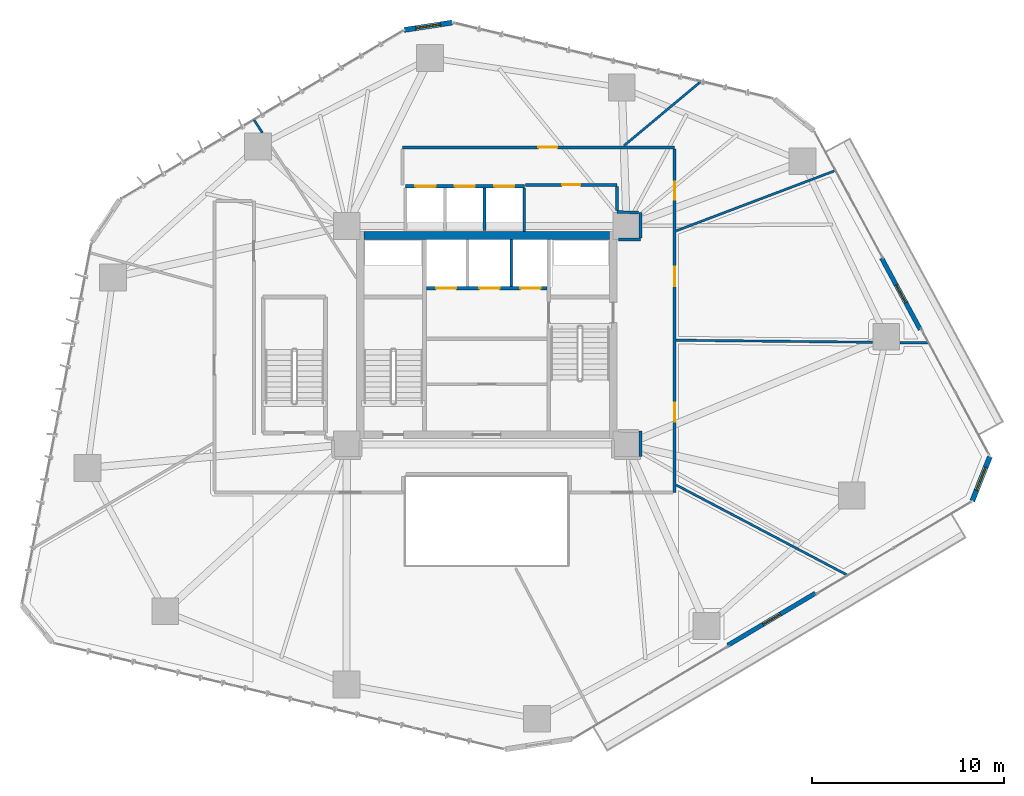
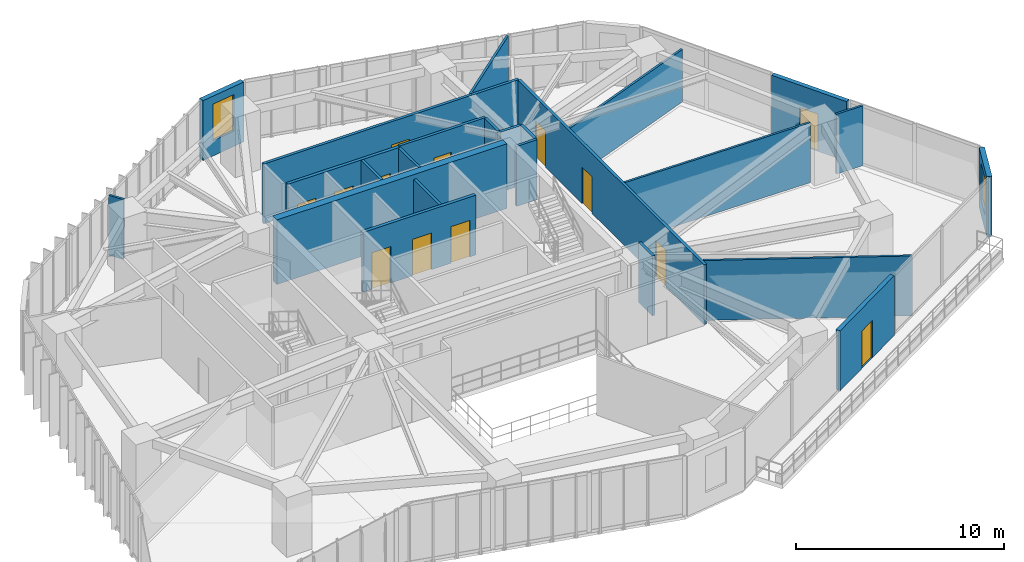
# One storey, part 18 of 23: 24 walls, 13 doors, 2 windows, 15 openings.
"""IFC4 building model written with IfcOpenShell, lengths in metres."""

from ifc_helpers import new_model, si_unit, direction, frame, frame_2d, origin, place, context, subcontext, project, spatial, rectangle, extrude, source, transform, mapped, material, layer, layer_set, type_object, type_shapes, element, fill, save


model = new_model("IFC4")

# Units and contexts
model_context = context("Model", 3, precision=1e-05, world=origin(), true_north=direction((0.0, 1.0)))
body_context = subcontext(model_context, "Body", "Model", "MODEL_VIEW")
ifc_project = project(units=[si_unit("LENGTHUNIT", "METRE"), si_unit("AREAUNIT", "SQUARE_METRE"), si_unit("VOLUMEUNIT", "CUBIC_METRE"), si_unit("PLANEANGLEUNIT", "RADIAN"), si_unit("MASSUNIT", "GRAM", prefix="KILO")], contexts=[model_context])

# Site, building, storey
site_placement = place(None, origin())
site = spatial("IfcSite", under=ifc_project, at=site_placement, CompositionType="ELEMENT")
building_placement = place(site_placement, origin())
building = spatial("IfcBuilding", under=site, at=building_placement, Name="Talar Marvaseh", CompositionType="ELEMENT")
storey_placement = place(building_placement, frame((0.0, 0.0, 50.60009765625)))
storey = spatial("IfcBuildingStorey", under=building, at=storey_placement, Name="L12", CompositionType="ELEMENT", Elevation=50.60009765625)

# Wall, opening, window
ifc_material_1 = material(Name="Precast concrete C45/55", Category="concrete")
ifc_layer_1 = layer(ifc_material_1, 0.27001953125)
ifc_layer_set_1 = layer_set([ifc_layer_1], Name="Precast concrete C45/55")
wall_type_1 = type_object("IfcWallType", Name="Chamfered Hexagonal Corner Pier Wall Z1 270", PredefinedType="SOLIDWALL", material=ifc_layer_set_1)
wall_1_placement = place(storey_placement, frame((21.70654296875, 47.125244140625, 0.0), z_axis=(0.0, 0.0, 1.0), x_axis=(0.988358232823, 0.152144679861, 0.0)))
wall_1 = element("IfcWall", 1, at=wall_1_placement, inside=storey, type_object=wall_type_1, Name="L12 Chamfered Corner Limestone Pier 3", PredefinedType="SOLIDWALL", context=body_context, shape_type="SweptSolid", body=[
    extrude(rectangle(XDim=2.51611328125, YDim=0.27001953125, at=frame_2d((1.258056640625, 0.0))), origin(), (0.0, 0.0, 1.0), 3.52001953125),
])
opening_1_placement = place(wall_1_placement, frame((0.60791015625, 0.0, 0.89990234375)))
opening_1 = element("IfcOpeningElement", 2, at=opening_1_placement, cuts=wall_1, Name="Opening WN-CHM13", PredefinedType="OPENING", context=body_context, shape_type="SweptSolid", body=[
    extrude(rectangle(XDim=1.300048828125, YDim=2.14990234375, at=frame_2d((0.64990234375, 1.074951171875))), frame((0.0, 0.14501953125, 0.0), z_axis=(0.0, -1.0, 0.0), x_axis=(1.0, 0.0, 0.0)), (0.0, 0.0, 1.0), 0.2900390625),
])
ifc_material_2 = material(Name="Laminated Low-E Solar Glass", Category="glass")
window_type = type_object("IfcWindowType", Name="Zone 1 Chamfered Corner Slot Window 1300x2150", PartitioningType="SINGLE_PANEL", PredefinedType="WINDOW", material=ifc_material_2)
shared_shape_1 = source(origin(), body_context, "Body", "SweptSolid", [
    extrude(rectangle(XDim=1.300048828125, YDim=2.14990234375, at=frame_2d((0.64990234375, 1.074951171875))), frame((0.0, 0.030029296875, 0.0), z_axis=(0.0, -1.0, 0.0), x_axis=(1.0, 0.0, 0.0)), (0.0, 0.0, 1.0), 0.06005859375),
])
type_shapes(window_type, [shared_shape_1])
window_1_placement = place(opening_1_placement, origin())
window_1 = element("IfcWindow", 3, at=window_1_placement, inside=storey, type_object=window_type, Name="L12 Chamfered Corner Slot Window", OverallHeight=2.14990234375, OverallWidth=1.300048828125, PartitioningType="SINGLE_PANEL", PredefinedType="WINDOW", context=body_context, shape_type="MappedRepresentation", body=[
    mapped(shared_shape_1, transform((0.0, 0.0, 0.0), x_axis=(1.0, 0.0, 0.0), y_axis=(0.0, 1.0, 0.0), z_axis=(0.0, 0.0, 1.0), scale=1.0)),
])
fill(opening_1, window_1)

wall_2_placement = place(storey_placement, frame((52.248779296875, 24.85986328125, 0.0), z_axis=(0.0, 0.0, 1.0), x_axis=(-0.369356295901, -0.929287859965, 0.0)))
wall_2 = element("IfcWall", 4, at=wall_2_placement, inside=storey, type_object=wall_type_1, Name="L12 Chamfered Corner Limestone Pier 5", PredefinedType="SOLIDWALL", context=body_context, shape_type="SweptSolid", body=[
    extrude(rectangle(XDim=2.48388671875, YDim=0.27001953125, at=frame_2d((1.241943359375, 0.0))), origin(), (0.0, 0.0, 1.0), 3.52001953125),
])
opening_2_placement = place(wall_2_placement, frame((0.592041015625, 0.0, 0.89990234375)))
opening_2 = element("IfcOpeningElement", 5, at=opening_2_placement, cuts=wall_2, Name="Opening WN-CHM13", PredefinedType="OPENING", context=body_context, shape_type="SweptSolid", body=[
    extrude(rectangle(XDim=1.300048828125, YDim=2.14990234375, at=frame_2d((0.64990234375, 1.074951171875))), frame((0.0, 0.14501953125, 0.0), z_axis=(0.0, -1.0, 0.0), x_axis=(1.0, 0.0, 0.0)), (0.0, 0.0, 1.0), 0.2900390625),
])
window_2_placement = place(opening_2_placement, origin())
window_2 = element("IfcWindow", 6, at=window_2_placement, inside=storey, type_object=window_type, Name="L12 Chamfered Corner Slot Window", OverallHeight=2.14990234375, OverallWidth=1.300048828125, PartitioningType="SINGLE_PANEL", PredefinedType="WINDOW", context=body_context, shape_type="MappedRepresentation", body=[
    mapped(shared_shape_1, transform((0.0, 0.0, 0.0), x_axis=(1.0, 0.0, 0.0), y_axis=(0.0, 1.0, 0.0), z_axis=(0.0, 0.0, 1.0), scale=1.0)),
])
fill(opening_2, window_2)

# Wall, opening, door
ifc_material_3 = material(Name="Gypsum Board Partition Assembly")
ifc_layer_2 = layer(ifc_material_3, 0.155029296875)
ifc_layer_set_2 = layer_set([ifc_layer_2], Name="Gypsum Board Partition Assembly")
wall_type_2 = type_object("IfcWallType", Name="Corridor Fire-Rated Acoustic Partition 155", PredefinedType="PARTITIONING", material=ifc_layer_set_2)
wall_3_placement = place(storey_placement, frame((32.800048828125, 39.0400390625, 0.0), z_axis=(0.0, 0.0, 1.0), x_axis=(-1.0, 0.0, 0.0)))
wall_3 = element("IfcWall", 7, at=wall_3_placement, inside=storey, type_object=wall_type_2, Name="L12 Interior Partition Wall", PredefinedType="PARTITIONING", context=body_context, shape_type="SweptSolid", body=[
    extrude(rectangle(XDim=4.77001953125, YDim=0.155029296875, at=frame_2d((2.385009765625, 0.0))), origin(), (0.0, 0.0, 1.0), 3.52001953125),
])
opening_3_placement = place(wall_3_placement, frame((1.909912109375, 0.0, 0.0)))
opening_3 = element("IfcOpeningElement", 8, at=opening_3_placement, cuts=wall_3, Name="Opening DR-WC095", PredefinedType="OPENING", context=body_context, shape_type="SweptSolid", body=[
    extrude(rectangle(XDim=0.949951171875, YDim=2.14990234375, at=frame_2d((0.47509765625, 1.074951171875))), frame((0.0, 0.08740234375, 0.0), z_axis=(0.0, -1.0, 0.0), x_axis=(1.0, 0.0, 0.0)), (0.0, 0.0, 1.0), 0.175048828125),
])
ifc_material_4 = material(Name="Acoustic Engineered Oak Timber", Category="wood")
door_type_1 = type_object("IfcDoorType", Name="Washroom and Service Room Door 950x2150", OperationType="NOTDEFINED", PredefinedType="DOOR", material=ifc_material_4)
shared_shape_2 = source(origin(), body_context, "Body", "SweptSolid", [
    extrude(rectangle(XDim=0.949951171875, YDim=2.14990234375, at=frame_2d((0.47509765625, 1.074951171875))), frame((0.0, 0.02490234375, 0.0), z_axis=(0.0, -1.0, 0.0), x_axis=(1.0, 0.0, 0.0)), (0.0, 0.0, 1.0), 0.050048828125),
])
type_shapes(door_type_1, [shared_shape_2])
door_1_placement = place(opening_3_placement, origin())
door_1 = element("IfcDoor", 9, at=door_1_placement, inside=storey, type_object=door_type_1, Name="L12 WC Public Washrooms Door", OperationType="SINGLE_SWING_RIGHT", OverallHeight=2.14990234375, OverallWidth=0.949951171875, PredefinedType="DOOR", context=body_context, shape_type="MappedRepresentation", body=[
    mapped(shared_shape_2, transform((0.0, 0.0, 0.0), x_axis=(1.0, 0.0, 0.0), y_axis=(0.0, 1.0, 0.0), z_axis=(0.0, 0.0, 1.0), scale=1.0)),
])
fill(opening_3, door_1)

wall_4_placement = place(storey_placement, frame((21.60009765625, 41.0, 0.0), z_axis=(0.0, 0.0, 1.0), x_axis=(1.0, 0.0, 0.0)))
wall_4 = element("IfcWall", 10, at=wall_4_placement, inside=storey, type_object=wall_type_2, Name="L12 Interior Partition Wall", PredefinedType="PARTITIONING", context=body_context, shape_type="SweptSolid", body=[
    extrude(rectangle(XDim=14.199951171875, YDim=0.155029296875, at=frame_2d((7.10009765625, 0.0))), origin(), (0.0, 0.0, 1.0), 3.52001953125),
])
opening_4_placement = place(wall_4_placement, frame((7.090087890625, 0.0, 0.0)))
opening_4 = element("IfcOpeningElement", 11, at=opening_4_placement, cuts=wall_4, Name="Opening DR-RM100", PredefinedType="OPENING", context=body_context, shape_type="SweptSolid", body=[
    extrude(rectangle(XDim=1.0, YDim=2.14990234375, at=frame_2d((0.5, 1.074951171875))), frame((0.0, 0.08740234375, 0.0), z_axis=(0.0, -1.0, 0.0), x_axis=(1.0, 0.0, 0.0)), (0.0, 0.0, 1.0), 0.175048828125),
])
door_type_2 = type_object("IfcDoorType", Name="Corridor Fire-Rated Gallery Door 1000x2150", OperationType="NOTDEFINED", PredefinedType="DOOR", material=ifc_material_4)
shared_shape_3 = source(origin(), body_context, "Body", "SweptSolid", [
    extrude(rectangle(XDim=1.0, YDim=2.14990234375, at=frame_2d((0.5, 1.074951171875))), frame((0.0, 0.02490234375, 0.0), z_axis=(0.0, -1.0, 0.0), x_axis=(1.0, 0.0, 0.0)), (0.0, 0.0, 1.0), 0.050048828125),
])
type_shapes(door_type_2, [shared_shape_3])
door_2_placement = place(opening_4_placement, origin())
door_2 = element("IfcDoor", 12, at=door_2_placement, inside=storey, type_object=door_type_2, Name="L12 Chamber Recital Salon Door", OperationType="SINGLE_SWING_LEFT", OverallHeight=2.14990234375, OverallWidth=1.0, PredefinedType="DOOR", context=body_context, shape_type="MappedRepresentation", body=[
    mapped(shared_shape_3, transform((0.0, 0.0, 0.0), x_axis=(1.0, 0.0, 0.0), y_axis=(0.0, 1.0, 0.0), z_axis=(0.0, 0.0, 1.0), scale=1.0)),
])
fill(opening_4, door_2)

# Wall, openings, doors
wall_5_placement = place(storey_placement, frame((35.800048828125, 40.91650390625, 0.0), z_axis=(0.0, 0.0, 1.0), x_axis=(0.0, -1.0, 0.0)))
wall_5 = element("IfcWall", 13, at=wall_5_placement, inside=storey, type_object=wall_type_2, Name="L12 Interior Partition Wall", PredefinedType="PARTITIONING", context=body_context, shape_type="SweptSolid", body=[
    extrude(rectangle(XDim=17.91650390625, YDim=0.155029296875, at=frame_2d((8.958251953125, 0.0))), origin(), (0.0, 0.0, 1.0), 3.52001953125),
])
opening_5_placement = place(wall_5_placement, frame((13.242919921875, 0.0, 0.0)))
opening_5 = element("IfcOpeningElement", 14, at=opening_5_placement, cuts=wall_5, Name="Opening DR-RM100", PredefinedType="OPENING", context=body_context, shape_type="SweptSolid", body=[
    extrude(rectangle(XDim=1.0, YDim=2.14990234375, at=frame_2d((0.5, 1.074951171875))), frame((0.0, 0.08740234375, 0.0), z_axis=(0.0, -1.0, 0.0), x_axis=(1.0, 0.0, 0.0)), (0.0, 0.0, 1.0), 0.175048828125),
])
opening_6_placement = place(wall_5_placement, frame((6.158203125, 0.0, 0.0)))
opening_6 = element("IfcOpeningElement", 15, at=opening_6_placement, cuts=wall_5, Name="Opening DR-RM100", PredefinedType="OPENING", context=body_context, shape_type="SweptSolid", body=[
    extrude(rectangle(XDim=1.0, YDim=2.14990234375, at=frame_2d((0.5, 1.074951171875))), frame((0.0, 0.08740234375, 0.0), z_axis=(0.0, -1.0, 0.0), x_axis=(1.0, 0.0, 0.0)), (0.0, 0.0, 1.0), 0.175048828125),
])
opening_7_placement = place(wall_5_placement, frame((1.70458984375, 0.0, 0.0)))
opening_7 = element("IfcOpeningElement", 16, at=opening_7_placement, cuts=wall_5, Name="Opening DR-WC095", PredefinedType="OPENING", context=body_context, shape_type="SweptSolid", body=[
    extrude(rectangle(XDim=0.949951171875, YDim=2.14990234375, at=frame_2d((0.47509765625, 1.074951171875))), frame((0.0, 0.08740234375, 0.0), z_axis=(0.0, -1.0, 0.0), x_axis=(1.0, 0.0, 0.0)), (0.0, 0.0, 1.0), 0.175048828125),
])
door_3_placement = place(opening_7_placement, origin())
door_3 = element("IfcDoor", 17, at=door_3_placement, inside=storey, type_object=door_type_1, Name="L12 Accessible WC Block Door", OperationType="SINGLE_SWING_LEFT", OverallHeight=2.14990234375, OverallWidth=0.949951171875, PredefinedType="DOOR", context=body_context, shape_type="MappedRepresentation", body=[
    mapped(shared_shape_2, transform((0.0, 0.0, 0.0), x_axis=(1.0, 0.0, 0.0), y_axis=(0.0, 1.0, 0.0), z_axis=(0.0, 0.0, 1.0), scale=1.0)),
])
fill(opening_7, door_3)
door_4_placement = place(opening_5_placement, origin())
door_4 = element("IfcDoor", 18, at=door_4_placement, inside=storey, type_object=door_type_2, Name="L12 Main Reading Room Door", OperationType="SINGLE_SWING_LEFT", OverallHeight=2.14990234375, OverallWidth=1.0, PredefinedType="DOOR", context=body_context, shape_type="MappedRepresentation", body=[
    mapped(shared_shape_3, transform((0.0, 0.0, 0.0), x_axis=(1.0, 0.0, 0.0), y_axis=(0.0, 1.0, 0.0), z_axis=(0.0, 0.0, 1.0), scale=1.0)),
])
fill(opening_5, door_4)
door_5_placement = place(opening_6_placement, origin())
door_5 = element("IfcDoor", 19, at=door_5_placement, inside=storey, type_object=door_type_2, Name="L12 Visitor Orientation Foyer Door", OperationType="SINGLE_SWING_RIGHT", OverallHeight=2.14990234375, OverallWidth=1.0, PredefinedType="DOOR", context=body_context, shape_type="MappedRepresentation", body=[
    mapped(shared_shape_3, transform((0.0, 0.0, 0.0), x_axis=(1.0, 0.0, 0.0), y_axis=(0.0, 1.0, 0.0), z_axis=(0.0, 0.0, 1.0), scale=1.0)),
])
fill(opening_6, door_5)

# Walls
wall_6_placement = place(storey_placement, frame((34.014892578125, 24.883544921875, 0.0), z_axis=(0.0, 0.0, 1.0), x_axis=(-0.002393659134, 0.999997135194, 0.0)))
element("IfcWall", 20, at=wall_6_placement, inside=storey, type_object=wall_type_2, Name="L12 Interior Partition Wall", PredefinedType="PARTITIONING", context=body_context, shape_type="SweptSolid", body=[
    extrude(rectangle(XDim=1.325927734375, YDim=0.155029296875, at=frame_2d((0.6630859375, 0.0))), origin(), (0.0, 0.0, 1.0), 3.52001953125),
])
wall_7_placement = place(storey_placement, frame((32.8701171875, 36.18505859375, 0.0), z_axis=(0.0, 0.0, 1.0), x_axis=(0.999988932255, 0.00470482389, 0.0)))
element("IfcWall", 21, at=wall_7_placement, inside=storey, type_object=wall_type_2, Name="L12 Interior Partition Wall", PredefinedType="PARTITIONING", context=body_context, shape_type="SweptSolid", body=[
    extrude(rectangle(XDim=1.1416015625, YDim=0.155029296875, at=frame_2d((0.57080078125, 0.0))), origin(), (0.0, 0.0, 1.0), 3.52001953125),
])
wall_8_placement = place(storey_placement, frame((34.01171875, 36.27392578125, 0.0), z_axis=(0.0, 0.0, 1.0), x_axis=(0.0, 1.0, 0.0)))
element("IfcWall", 22, at=wall_8_placement, inside=storey, type_object=wall_type_2, Name="L12 Interior Partition Wall", PredefinedType="PARTITIONING", context=body_context, shape_type="SweptSolid", body=[
    extrude(rectangle(XDim=1.335693359375, YDim=0.155029296875, at=frame_2d((0.66796875, 0.0))), origin(), (0.0, 0.0, 1.0), 3.52001953125),
])
wall_9_placement = place(storey_placement, frame((33.927978515625, 37.60986328125, 0.0), z_axis=(0.0, 0.0, 1.0), x_axis=(-0.999989669582, 0.004545407589, 0.0)))
element("IfcWall", 23, at=wall_9_placement, inside=storey, type_object=wall_type_2, Name="L12 Interior Partition Wall", PredefinedType="PARTITIONING", context=body_context, shape_type="SweptSolid", body=[
    extrude(rectangle(XDim=1.1279296875, YDim=0.155029296875, at=frame_2d((0.56396484375, 0.0))), origin(), (0.0, 0.0, 1.0), 3.52001953125),
])
wall_10_placement = place(storey_placement, frame((32.800048828125, 37.698486328125, 0.0), z_axis=(0.0, 0.0, 1.0), x_axis=(0.0, 1.0, 0.0)))
element("IfcWall", 24, at=wall_10_placement, inside=storey, type_object=wall_type_2, Name="L12 Interior Partition Wall", PredefinedType="PARTITIONING", context=body_context, shape_type="SweptSolid", body=[
    extrude(rectangle(XDim=1.258056640625, YDim=0.155029296875, at=frame_2d((0.62890625, 0.0))), origin(), (0.0, 0.0, 1.0), 3.52001953125),
])
ifc_layer_3 = layer(ifc_material_3, 0.1201171875)
ifc_layer_set_3 = layer_set([ifc_layer_3], Name="Gypsum Board Partition Assembly")
wall_type_3 = type_object("IfcWallType", Name="Demountable Studio Room Partition 120", PredefinedType="PARTITIONING", material=ifc_layer_set_3)
wall_11_placement = place(storey_placement, frame((35.883544921875, 23.385986328125, 0.0), z_axis=(0.0, 0.0, 1.0), x_axis=(0.884806929107, -0.465957828783, 0.0)))
element("IfcWall", 25, at=wall_11_placement, inside=storey, type_object=wall_type_3, Name="L12 Interior Partition Wall", PredefinedType="PARTITIONING", context=body_context, shape_type="SweptSolid", body=[
    extrude(rectangle(XDim=10.09033203125, YDim=0.1201171875, at=frame_2d((5.045166015625, 0.0))), origin(), (0.0, 0.0, 1.0), 3.52001953125),
])
wall_12_placement = place(storey_placement, frame((35.864990234375, 30.939208984375, 0.0), z_axis=(0.0, 0.0, 1.0), x_axis=(0.999943490753, -0.01063086551, 0.0)))
element("IfcWall", 26, at=wall_12_placement, inside=storey, type_object=wall_type_3, Name="L12 Interior Partition Wall", PredefinedType="PARTITIONING", context=body_context, shape_type="SweptSolid", body=[
    extrude(rectangle(XDim=10.265380859375, YDim=0.1201171875, at=frame_2d((5.1328125, 0.0))), origin(), (0.0, 0.0, 1.0), 3.52001953125),
])
wall_13_placement = place(storey_placement, frame((47.56005859375, 30.81005859375, 0.0), z_axis=(0.0, 0.0, 1.0), x_axis=(0.999969825831, -0.00776836063, 0.0)))
element("IfcWall", 27, at=wall_13_placement, inside=storey, type_object=wall_type_3, Name="L12 Interior Partition Wall", PredefinedType="PARTITIONING", context=body_context, shape_type="SweptSolid", body=[
    extrude(rectangle(XDim=1.47705078125, YDim=0.1201171875, at=frame_2d((0.738525390625, 0.0))), origin(), (0.0, 0.0, 1.0), 3.52001953125),
])
wall_14_placement = place(storey_placement, frame((35.883544921875, 36.6416015625, 0.0), z_axis=(0.0, 0.0, 1.0), x_axis=(0.935148250885, 0.35425661443, 0.0)))
element("IfcWall", 28, at=wall_14_placement, inside=storey, type_object=wall_type_3, Name="L12 Interior Partition Wall", PredefinedType="PARTITIONING", context=body_context, shape_type="SweptSolid", body=[
    extrude(rectangle(XDim=8.86669921875, YDim=0.1201171875, at=frame_2d((4.433349609375, 0.0))), origin(), (0.0, 0.0, 1.0), 3.081787109375),
])
wall_15_placement = place(storey_placement, frame((33.16015625, 41.08349609375, 0.0), z_axis=(0.0, 0.0, 1.0), x_axis=(0.767737166039, 0.640764889708, 0.0)))
element("IfcWall", 29, at=wall_15_placement, inside=storey, type_object=wall_type_3, Name="L12 Interior Partition Wall", PredefinedType="PARTITIONING", context=body_context, shape_type="SweptSolid", body=[
    extrude(rectangle(XDim=5.210693359375, YDim=0.1201171875, at=frame_2d((2.60546875, 0.0))), origin(), (0.0, 0.0, 1.0), 3.52001953125),
])
wall_16_placement = place(storey_placement, frame((14.300048828125, 41.760009765625, 0.0), z_axis=(0.0, 0.0, 1.0), x_axis=(-0.547149863987, 0.837034662567, 0.0)))
element("IfcWall", 30, at=wall_16_placement, inside=storey, type_object=wall_type_3, Name="L12 Interior Partition Wall", PredefinedType="PARTITIONING", context=body_context, shape_type="SweptSolid", body=[
    extrude(rectangle(XDim=0.79345703125, YDim=0.1201171875, at=frame_2d((0.396728515625, 0.0))), origin(), (0.0, 0.0, 1.0), 3.52001953125),
])
ifc_layer_4 = layer(ifc_material_1, 0.14501953125)
ifc_layer_set_4 = layer_set([ifc_layer_4], Name="Precast concrete C45/55")
wall_type_4 = type_object("IfcWallType", Name="Fire-Rated Lift Divider Wall 145", PredefinedType="SOLIDWALL", material=ifc_layer_set_4)
wall_17_placement = place(storey_placement, frame((27.280029296875, 33.743408203125, 0.0), z_axis=(0.0, 0.0, 1.0), x_axis=(0.0, 1.0, 0.0)))
element("IfcWall", 31, at=wall_17_placement, inside=storey, type_object=wall_type_4, Name="L12 FFL-2/SVL-1 Divider", PredefinedType="SOLIDWALL", context=body_context, shape_type="SweptSolid", body=[
    extrude(rectangle(XDim=2.45654296875, YDim=0.14501953125, at=frame_2d((1.228271484375, 0.0))), origin(), (0.0, 0.0, 1.0), 3.52001953125),
])
wall_18_placement = place(storey_placement, frame((27.9599609375, 36.60009765625, 0.0), z_axis=(0.0, 0.0, 1.0), x_axis=(0.0, 1.0, 0.0)))
element("IfcWall", 32, at=wall_18_placement, inside=storey, type_object=wall_type_4, Name="L12 Low-Rise Bank East Wall", PredefinedType="SOLIDWALL", context=body_context, shape_type="SweptSolid", body=[
    extrude(rectangle(XDim=2.266357421875, YDim=0.14501953125, at=frame_2d((1.13330078125, 0.0))), origin(), (0.0, 0.0, 1.0), 3.52001953125),
])
wall_19_placement = place(storey_placement, frame((25.889892578125, 36.659912109375, 0.0), z_axis=(0.0, 0.0, 1.0), x_axis=(0.0, 1.0, 0.0)))
element("IfcWall", 33, at=wall_19_placement, inside=storey, type_object=wall_type_4, Name="L12 PL-L2/PL-L3 Divider", PredefinedType="SOLIDWALL", context=body_context, shape_type="SweptSolid", body=[
    extrude(rectangle(XDim=2.20654296875, YDim=0.14501953125, at=frame_2d((1.103271484375, 0.0))), origin(), (0.0, 0.0, 1.0), 3.52001953125),
])

# Wall, openings, doors
ifc_layer_5 = layer(ifc_material_1, 0.175048828125)
ifc_layer_set_5 = layer_set([ifc_layer_5], Name="Precast concrete C45/55")
wall_type_5 = type_object("IfcWallType", Name="Fire-Rated Lift Hoistway Enclosure Wall 175", PredefinedType="SOLIDWALL", material=ifc_layer_set_5)
wall_20_placement = place(storey_placement, frame((22.860107421875, 33.64990234375, 0.0), z_axis=(0.0, 0.0, 1.0), x_axis=(1.0, 0.0, 0.0)))
wall_20 = element("IfcWall", 34, at=wall_20_placement, inside=storey, type_object=wall_type_5, Name="L12 Firefighting and Service Lift Front Wall", PredefinedType="SOLIDWALL", context=body_context, shape_type="SweptSolid", body=[
    extrude(rectangle(XDim=6.27978515625, YDim=0.175048828125, at=frame_2d((3.139892578125, 0.0))), origin(), (0.0, 0.0, 1.0), 3.52001953125),
])
opening_8_placement = place(wall_20_placement, frame((0.5, 0.0, 0.0)))
opening_8 = element("IfcOpeningElement", 35, at=opening_8_placement, cuts=wall_20, Name="Opening LD-FF1", PredefinedType="OPENING", context=body_context, shape_type="SweptSolid", body=[
    extrude(rectangle(XDim=1.050048828125, YDim=2.14990234375, at=frame_2d((0.52490234375, 1.074951171875))), frame((0.0, 0.09765625, 0.0), z_axis=(0.0, -1.0, 0.0), x_axis=(1.0, 0.0, 0.0)), (0.0, 0.0, 1.0), 0.195068359375),
])
opening_9_placement = place(wall_20_placement, frame((2.760009765625, 0.0, 0.0)))
opening_9 = element("IfcOpeningElement", 36, at=opening_9_placement, cuts=wall_20, Name="Opening LD-FF2", PredefinedType="OPENING", context=body_context, shape_type="SweptSolid", body=[
    extrude(rectangle(XDim=1.050048828125, YDim=2.14990234375, at=frame_2d((0.52490234375, 1.074951171875))), frame((0.0, 0.09765625, 0.0), z_axis=(0.0, -1.0, 0.0), x_axis=(1.0, 0.0, 0.0)), (0.0, 0.0, 1.0), 0.195068359375),
])
opening_10_placement = place(wall_20_placement, frame((4.89990234375, 0.0, 0.0)))
opening_10 = element("IfcOpeningElement", 37, at=opening_10_placement, cuts=wall_20, Name="Opening LD-SV1", PredefinedType="OPENING", context=body_context, shape_type="SweptSolid", body=[
    extrude(rectangle(XDim=1.050048828125, YDim=2.14990234375, at=frame_2d((0.52490234375, 1.074951171875))), frame((0.0, 0.09765625, 0.0), z_axis=(0.0, -1.0, 0.0), x_axis=(1.0, 0.0, 0.0)), (0.0, 0.0, 1.0), 0.195068359375),
])
ifc_material_5 = material(Name="Stainless Steel Grade 316", Category="steel")
door_type_3 = type_object("IfcDoorType", Name="Automatic Sliding Lift Landing Door 1050x2150", OperationType="NOTDEFINED", PredefinedType="DOOR", material=ifc_material_5)
shared_shape_4 = source(origin(), body_context, "Body", "SweptSolid", [
    extrude(rectangle(XDim=1.050048828125, YDim=2.14990234375, at=frame_2d((0.52490234375, 1.074951171875))), frame((0.0, 0.02490234375, 0.0), z_axis=(0.0, -1.0, 0.0), x_axis=(1.0, 0.0, 0.0)), (0.0, 0.0, 1.0), 0.050048828125),
])
type_shapes(door_type_3, [shared_shape_4])
door_6_placement = place(opening_8_placement, origin())
door_6 = element("IfcDoor", 38, at=door_6_placement, inside=storey, type_object=door_type_3, Name="L12 Lift FFL-1 Sliding Landing Door", OperationType="SLIDING_TO_LEFT", OverallHeight=2.14990234375, OverallWidth=1.050048828125, PredefinedType="DOOR", context=body_context, shape_type="MappedRepresentation", body=[
    mapped(shared_shape_4, transform((0.0, 0.0, 0.0), x_axis=(1.0, 0.0, 0.0), y_axis=(0.0, 1.0, 0.0), z_axis=(0.0, 0.0, 1.0), scale=1.0)),
])
fill(opening_8, door_6)
door_7_placement = place(opening_9_placement, origin())
door_7 = element("IfcDoor", 39, at=door_7_placement, inside=storey, type_object=door_type_3, Name="L12 Lift FFL-2 Sliding Landing Door", OperationType="SLIDING_TO_LEFT", OverallHeight=2.14990234375, OverallWidth=1.050048828125, PredefinedType="DOOR", context=body_context, shape_type="MappedRepresentation", body=[
    mapped(shared_shape_4, transform((0.0, 0.0, 0.0), x_axis=(1.0, 0.0, 0.0), y_axis=(0.0, 1.0, 0.0), z_axis=(0.0, 0.0, 1.0), scale=1.0)),
])
fill(opening_9, door_7)
door_8_placement = place(opening_10_placement, origin())
door_8 = element("IfcDoor", 40, at=door_8_placement, inside=storey, type_object=door_type_3, Name="L12 Lift SVL-1 Sliding Landing Door", OperationType="SLIDING_TO_LEFT", OverallHeight=2.14990234375, OverallWidth=1.050048828125, PredefinedType="DOOR", context=body_context, shape_type="MappedRepresentation", body=[
    mapped(shared_shape_4, transform((0.0, 0.0, 0.0), x_axis=(1.0, 0.0, 0.0), y_axis=(0.0, 1.0, 0.0), z_axis=(0.0, 0.0, 1.0), scale=1.0)),
])
fill(opening_10, door_8)

wall_21_placement = place(storey_placement, frame((21.760009765625, 38.9599609375, 0.0), z_axis=(0.0, 0.0, 1.0), x_axis=(1.0, 0.0, 0.0)))
wall_21 = element("IfcWall", 41, at=wall_21_placement, inside=storey, type_object=wall_type_5, Name="L12 Low-Rise Lift Bank Front Wall", PredefinedType="SOLIDWALL", context=body_context, shape_type="SweptSolid", body=[
    extrude(rectangle(XDim=6.199951171875, YDim=0.175048828125, at=frame_2d((3.10009765625, 0.0))), origin(), (0.0, 0.0, 1.0), 3.52001953125),
])
opening_11_placement = place(wall_21_placement, frame((0.52001953125, 0.0, 0.0)))
opening_11 = element("IfcOpeningElement", 42, at=opening_11_placement, cuts=wall_21, Name="Opening LD-PLL1", PredefinedType="OPENING", context=body_context, shape_type="SweptSolid", body=[
    extrude(rectangle(XDim=1.050048828125, YDim=2.14990234375, at=frame_2d((0.52490234375, 1.074951171875))), frame((0.0, 0.09765625, 0.0), z_axis=(0.0, -1.0, 0.0), x_axis=(1.0, 0.0, 0.0)), (0.0, 0.0, 1.0), 0.195068359375),
])
opening_12_placement = place(wall_21_placement, frame((2.580078125, 0.0, 0.0)))
opening_12 = element("IfcOpeningElement", 43, at=opening_12_placement, cuts=wall_21, Name="Opening LD-PLL2", PredefinedType="OPENING", context=body_context, shape_type="SweptSolid", body=[
    extrude(rectangle(XDim=1.050048828125, YDim=2.14990234375, at=frame_2d((0.52490234375, 1.074951171875))), frame((0.0, 0.09765625, 0.0), z_axis=(0.0, -1.0, 0.0), x_axis=(1.0, 0.0, 0.0)), (0.0, 0.0, 1.0), 0.195068359375),
])
opening_13_placement = place(wall_21_placement, frame((4.639892578125, 0.0, 0.0)))
opening_13 = element("IfcOpeningElement", 44, at=opening_13_placement, cuts=wall_21, Name="Opening LD-PLL3", PredefinedType="OPENING", context=body_context, shape_type="SweptSolid", body=[
    extrude(rectangle(XDim=1.050048828125, YDim=2.14990234375, at=frame_2d((0.52490234375, 1.074951171875))), frame((0.0, 0.09765625, 0.0), z_axis=(0.0, -1.0, 0.0), x_axis=(1.0, 0.0, 0.0)), (0.0, 0.0, 1.0), 0.195068359375),
])
door_9_placement = place(opening_11_placement, origin())
door_9 = element("IfcDoor", 45, at=door_9_placement, inside=storey, type_object=door_type_3, Name="L12 Lift PL-L1 Sliding Landing Door", OperationType="SLIDING_TO_LEFT", OverallHeight=2.14990234375, OverallWidth=1.050048828125, PredefinedType="DOOR", context=body_context, shape_type="MappedRepresentation", body=[
    mapped(shared_shape_4, transform((0.0, 0.0, 0.0), x_axis=(1.0, 0.0, 0.0), y_axis=(0.0, 1.0, 0.0), z_axis=(0.0, 0.0, 1.0), scale=1.0)),
])
fill(opening_11, door_9)
door_10_placement = place(opening_12_placement, origin())
door_10 = element("IfcDoor", 46, at=door_10_placement, inside=storey, type_object=door_type_3, Name="L12 Lift PL-L2 Sliding Landing Door", OperationType="SLIDING_TO_LEFT", OverallHeight=2.14990234375, OverallWidth=1.050048828125, PredefinedType="DOOR", context=body_context, shape_type="MappedRepresentation", body=[
    mapped(shared_shape_4, transform((0.0, 0.0, 0.0), x_axis=(1.0, 0.0, 0.0), y_axis=(0.0, 1.0, 0.0), z_axis=(0.0, 0.0, 1.0), scale=1.0)),
])
fill(opening_12, door_10)
door_11_placement = place(opening_13_placement, origin())
door_11 = element("IfcDoor", 47, at=door_11_placement, inside=storey, type_object=door_type_3, Name="L12 Lift PL-L3 Sliding Landing Door", OperationType="SLIDING_TO_LEFT", OverallHeight=2.14990234375, OverallWidth=1.050048828125, PredefinedType="DOOR", context=body_context, shape_type="MappedRepresentation", body=[
    mapped(shared_shape_4, transform((0.0, 0.0, 0.0), x_axis=(1.0, 0.0, 0.0), y_axis=(0.0, 1.0, 0.0), z_axis=(0.0, 0.0, 1.0), scale=1.0)),
])
fill(opening_13, door_11)

# Wall
ifc_material_6 = material(Name="Concrete C70/85", Category="concrete")
ifc_layer_6 = layer(ifc_material_6, 0.39990234375)
ifc_layer_set_6 = layer_set([ifc_layer_6], Name="Concrete C70/85")
wall_type_6 = type_object("IfcWallType", Name="Lower Core Reinforced Concrete Shear Wall 400", PredefinedType="SHEAR", material=ifc_layer_set_6)
wall_22_placement = place(storey_placement, frame((19.60009765625, 36.39990234375, 0.0), z_axis=(0.0, 0.0, 1.0), x_axis=(1.0, 0.0, 0.0)))
element("IfcWall", 48, at=wall_22_placement, inside=storey, type_object=wall_type_6, Name="L12 North Core Shear Wall", PredefinedType="SHEAR", context=body_context, shape_type="SweptSolid", body=[
    extrude(rectangle(XDim=12.7998046875, YDim=0.39990234375, at=frame_2d((6.39990234375, 0.0))), origin(), (0.0, 0.0, 1.0), 3.7998046875),
])

# Wall, opening, door
ifc_layer_7 = layer(ifc_material_1, 0.235107421875)
ifc_layer_set_7 = layer_set([ifc_layer_7], Name="Precast concrete C45/55")
wall_type_7 = type_object("IfcWallType", Name="Terrace Threshold Glazed Spandrel Wall 235", PredefinedType="SOLIDWALL", material=ifc_layer_set_7)
wall_23_placement = place(storey_placement, frame((46.6025390625, 35.2197265625, 0.0), z_axis=(0.0, 0.0, 1.0), x_axis=(0.475713394449, -0.879600344669, 0.0)))
wall_23 = element("IfcWall", 49, at=wall_23_placement, inside=storey, type_object=wall_type_7, Name="L12 Terrace Threshold Wall", PredefinedType="SOLIDWALL", context=body_context, shape_type="SweptSolid", body=[
    extrude(rectangle(XDim=4.238525390625, YDim=0.235107421875, at=frame_2d((2.119140625, 0.0))), origin(), (0.0, 0.0, 1.0), 3.52001953125),
])
opening_14_placement = place(wall_23_placement, frame((1.593994140625, 0.0, 0.0)))
opening_14 = element("IfcOpeningElement", 50, at=opening_14_placement, cuts=wall_23, Name="Opening DR-TER10", PredefinedType="OPENING", context=body_context, shape_type="SweptSolid", body=[
    extrude(rectangle(XDim=1.050048828125, YDim=2.199951171875, at=frame_2d((0.52490234375, 1.10009765625))), frame((0.0, 0.12744140625, 0.0), z_axis=(0.0, -1.0, 0.0), x_axis=(1.0, 0.0, 0.0)), (0.0, 0.0, 1.0), 0.255126953125),
])
ifc_material_7 = material(Name="Architectural Aluminium", Category="aluminium")
door_type_4 = type_object("IfcDoorType", Name="External Terrace Weatherproof Glazed Door 1050x2200", OperationType="NOTDEFINED", PredefinedType="DOOR", material=ifc_material_7)
shared_shape_5 = source(origin(), body_context, "Body", "SweptSolid", [
    extrude(rectangle(XDim=1.050048828125, YDim=2.199951171875, at=frame_2d((0.52490234375, 1.10009765625))), frame((0.0, 0.02490234375, 0.0), z_axis=(0.0, -1.0, 0.0), x_axis=(1.0, 0.0, 0.0)), (0.0, 0.0, 1.0), 0.050048828125),
])
type_shapes(door_type_4, [shared_shape_5])
door_12_placement = place(opening_14_placement, origin())
door_12 = element("IfcDoor", 51, at=door_12_placement, inside=storey, type_object=door_type_4, Name="L12 External Planted Terrace Access Door", OperationType="SINGLE_SWING_LEFT", OverallHeight=2.199951171875, OverallWidth=1.050048828125, PredefinedType="DOOR", context=body_context, shape_type="MappedRepresentation", body=[
    mapped(shared_shape_5, transform((0.0, 0.0, 0.0), x_axis=(1.0, 0.0, 0.0), y_axis=(0.0, 1.0, 0.0), z_axis=(0.0, 0.0, 1.0), scale=1.0)),
])
fill(opening_14, door_12)

wall_24_placement = place(storey_placement, frame((43.15478515625, 17.744140625, 0.0), z_axis=(0.0, 0.0, 1.0), x_axis=(-0.859463004551, -0.51119794973, 0.0)))
wall_24 = element("IfcWall", 52, at=wall_24_placement, inside=storey, type_object=wall_type_7, Name="L12 Terrace Threshold Wall", PredefinedType="SOLIDWALL", context=body_context, shape_type="SweptSolid", body=[
    extrude(rectangle(XDim=5.329833984375, YDim=0.235107421875, at=frame_2d((2.6650390625, 0.0))), origin(), (0.0, 0.0, 1.0), 3.52001953125),
])
opening_15_placement = place(wall_24_placement, frame((2.139892578125, 0.0, 0.0)))
opening_15 = element("IfcOpeningElement", 53, at=opening_15_placement, cuts=wall_24, Name="Opening DR-TER10", PredefinedType="OPENING", context=body_context, shape_type="SweptSolid", body=[
    extrude(rectangle(XDim=1.050048828125, YDim=2.199951171875, at=frame_2d((0.52490234375, 1.10009765625))), frame((0.0, 0.12744140625, 0.0), z_axis=(0.0, -1.0, 0.0), x_axis=(1.0, 0.0, 0.0)), (0.0, 0.0, 1.0), 0.255126953125),
])
door_13_placement = place(opening_15_placement, origin())
door_13 = element("IfcDoor", 54, at=door_13_placement, inside=storey, type_object=door_type_4, Name="L12 External Planted Terrace Access Door", OperationType="SINGLE_SWING_RIGHT", OverallHeight=2.199951171875, OverallWidth=1.050048828125, PredefinedType="DOOR", context=body_context, shape_type="MappedRepresentation", body=[
    mapped(shared_shape_5, transform((0.0, 0.0, 0.0), x_axis=(1.0, 0.0, 0.0), y_axis=(0.0, 1.0, 0.0), z_axis=(0.0, 0.0, 1.0), scale=1.0)),
])
fill(opening_15, door_13)

save(model, "model.ifc")
